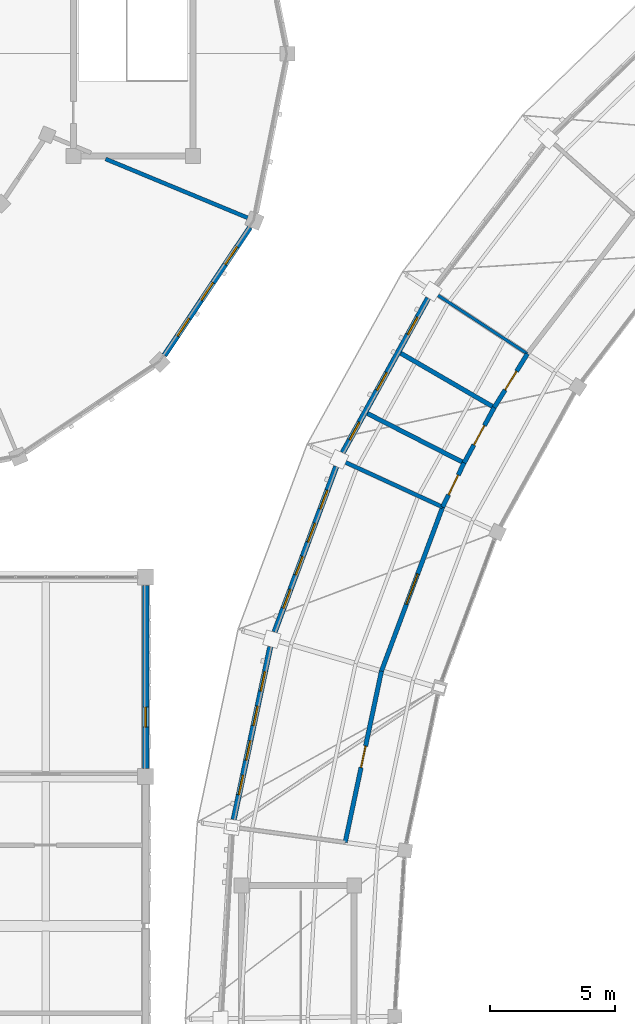
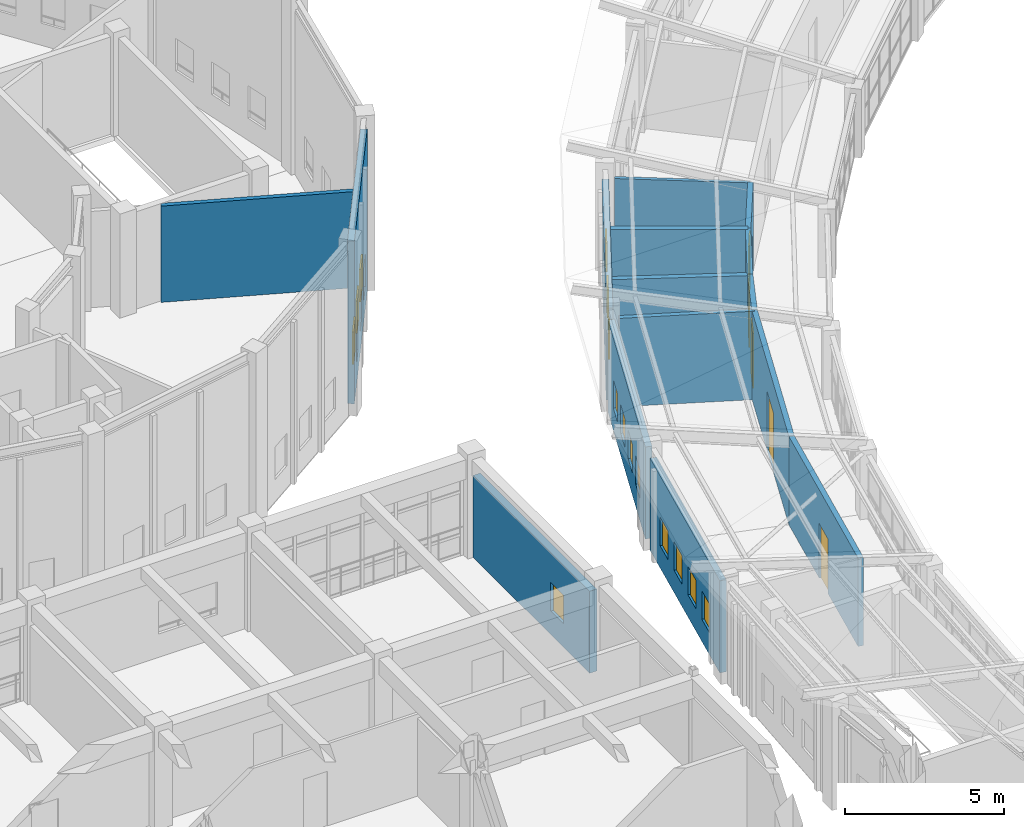
# One storey, part 127 of 149: 15 walls, 15 windows, 5 doors, 20 openings.
"""IFC4 building model written with IfcOpenShell, lengths in metres."""

import ifcopenshell
import ifcopenshell.guid

model = None  # the IFC model being written
_history = None  # IfcOwnerHistory: only IFC2X3 demands one
_inside = {}  # id of a spatial element -> (the spatial element, [elements in it])
_under = {}  # id of a project, library or spatial element -> (it, [spatial elements below it])
_declared = {}  # id of a project -> (the project, [libraries it declares])
_typed = {}  # id of a type object -> (the type object, [elements of that type])
_made_of = {}  # id of a material, layer set ... -> (it, [elements and type objects made of it])


def new_model(schema):
    """Start an empty IFC model of exactly this schema.

    Asked for "IFC4X3", IfcOpenShell would pick the latest addendum, in which some entities
    have other attributes; the version numbers below select the first issue.
    IFC2X3 requires an IfcOwnerHistory on every rooted entity: one is made here for all.
    """
    global model, _history
    if schema == "IFC4X3":
        model = ifcopenshell.file(schema_version=(4, 3, 0, 0))
    else:
        model = ifcopenshell.file(schema=schema)
    _inside.clear()
    _under.clear()
    _declared.clear()
    _typed.clear()
    _made_of.clear()
    _history = None
    if model.schema == "IFC2X3":
        org = make("IfcOrganization", Name="unknown")
        user = make(
            "IfcPersonAndOrganization",
            ThePerson=make("IfcPerson", FamilyName="unknown"),
            TheOrganization=org,
        )
        app = make(
            "IfcApplication",
            ApplicationDeveloper=org,
            Version="unknown",
            ApplicationFullName="unknown",
            ApplicationIdentifier="unknown",
        )
        _history = make(
            "IfcOwnerHistory",
            OwningUser=user,
            OwningApplication=app,
            ChangeAction="ADDED",
            CreationDate=0,
        )
    return model


def make(cls, **values):
    """One entity of the class cls with the attributes given. An attribute that is None is left unset."""
    return model.create_entity(
        cls, **{name: value for name, value in values.items() if value is not None}
    )


def rooted(cls, **values):
    """An entity with a GlobalId (a new one), such as an element, a storey or a relation."""
    return make(cls, GlobalId=ifcopenshell.guid.new(), OwnerHistory=_history, **values)


def si_unit(unit_type, name, prefix=None):
    """IfcSIUnit, for example si_unit("LENGTHUNIT", "METRE", prefix="MILLI")."""
    return make("IfcSIUnit", UnitType=unit_type, Prefix=prefix, Name=name)


def assignment(units):
    """IfcUnitAssignment: the units of a project."""
    return None if units is None else make("IfcUnitAssignment", Units=units)


def point(xyz):
    """IfcCartesianPoint."""
    return None if xyz is None else make("IfcCartesianPoint", Coordinates=xyz)


def direction(xyz):
    """IfcDirection."""
    return None if xyz is None else make("IfcDirection", DirectionRatios=xyz)


def frame(location, z_axis=None, x_axis=None):
    """IfcAxis2Placement3D, a coordinate frame: its origin and axes. An axis left out is left unset."""
    return make(
        "IfcAxis2Placement3D",
        Location=point(location),
        Axis=direction(z_axis),
        RefDirection=direction(x_axis),
    )


def frame_2d(location, x_axis=None):
    """IfcAxis2Placement2D, a coordinate frame in the plane: its origin and x axis."""
    return make(
        "IfcAxis2Placement2D", Location=point(location), RefDirection=direction(x_axis)
    )


def origin():
    """The frame at (0, 0, 0) with its axes left unset."""
    return frame((0.0, 0.0, 0.0))


def place(relative_to, where):
    """IfcLocalPlacement: puts the frame where relative to a parent placement (None: the world)."""
    return make(
        "IfcLocalPlacement", PlacementRelTo=relative_to, RelativePlacement=where
    )


def context(
    kind, dimensions, precision=None, world=None, true_north=None, identifier=None
):
    """IfcGeometricRepresentationContext, for example the 3D "Model" context."""
    return make(
        "IfcGeometricRepresentationContext",
        ContextIdentifier=identifier,
        ContextType=kind,
        CoordinateSpaceDimension=dimensions,
        Precision=precision,
        WorldCoordinateSystem=world,
        TrueNorth=true_north,
    )


def subcontext(parent, identifier, kind, view, scale=None):
    """IfcGeometricRepresentationSubContext, for example "Body" below "Model"."""
    return make(
        "IfcGeometricRepresentationSubContext",
        ContextIdentifier=identifier,
        ContextType=kind,
        ParentContext=parent,
        TargetScale=scale,
        TargetView=view,
    )


def project(units=None, contexts=None):
    """IfcProject with its units and contexts."""
    return rooted(
        "IfcProject",
        Name="project",
        RepresentationContexts=contexts,
        UnitsInContext=assignment(units),
    )


def spatial(cls, under=None, at=None, **own):
    """A site, building, storey or space (cls), placed at a placement, below another one or the project."""
    s = rooted(cls, ObjectPlacement=at, **own)
    if under is not None:
        _under.setdefault(under.id(), (under, []))[1].append(s)
    return s


def profile(cls, at=None, kind="AREA", **sizes):
    """A parametric profile (cls). Its sizes go by their IFC names, for example OverallWidth=200.0."""
    return make(cls, ProfileType=kind, Position=at, **sizes)


def rectangle(**sizes):
    """IfcRectangleProfileDef."""
    return profile("IfcRectangleProfileDef", **sizes)


def extrude(swept, where, along, depth):
    """IfcExtrudedAreaSolid: the profile swept, set in the frame where, extruded along a direction by depth."""
    return make(
        "IfcExtrudedAreaSolid",
        SweptArea=swept,
        Position=where,
        ExtrudedDirection=direction(along),
        Depth=depth,
    )


def shape(context_of_items, identifier, shape_type, items):
    """IfcShapeRepresentation: the items that make up one representation, for example the "Body"."""
    return make(
        "IfcShapeRepresentation",
        ContextOfItems=context_of_items,
        RepresentationIdentifier=identifier,
        RepresentationType=shape_type,
        Items=items,
    )


def material(Name=None, Category=None):
    """IfcMaterial."""
    return make("IfcMaterial", Name=Name, Category=Category)


def layer(
    of_material, thickness, ventilated=None, Name=None, Category=None, Priority=None
):
    """IfcMaterialLayer: one layer of a wall or slab, of a material (None: an air gap)."""
    return make(
        "IfcMaterialLayer",
        Material=of_material,
        LayerThickness=thickness,
        IsVentilated=ventilated,
        Name=Name,
        Category=Category,
        Priority=Priority,
    )


def layer_set(layers, Name=None):
    """IfcMaterialLayerSet."""
    return make("IfcMaterialLayerSet", MaterialLayers=layers, LayerSetName=Name)


def made_of(thing, what):
    """Note that an element or type object is made of a material, layer set ...; save() writes the relation."""
    if what is not None:
        _made_of.setdefault(what.id(), (what, []))[1].append(thing)
    return thing


def type_object(cls, material=None, **own):
    """A type object (cls), such as IfcWallType, which elements share."""
    return made_of(rooted(cls, **own), material)


def element(
    cls,
    number,
    at=None,
    inside=None,
    cuts=None,
    type_object=None,
    material=None,
    context=None,
    identifier="Body",
    shape_type=None,
    held_by="IfcProductDefinitionShape",
    body=None,
    shapes=None,
    **own,
):
    """One element of the class cls, such as IfcWall. Its Tag is "e" and its number.

    at: its placement. inside: the storey or other place that contains it. cuts: it is an
    opening in that element (IfcRelVoidsElement). A single representation is given by context,
    identifier, shape_type and body (its items); several are given by shapes. held_by: the class
    of the entity that holds the representations. save() writes the other relations.
    """
    e = rooted(cls, Tag="e%d" % number, ObjectPlacement=at, **own)
    if body is not None:
        shapes = [shape(context, identifier, shape_type, body)]
    if shapes is not None:
        e.Representation = make(held_by, Representations=shapes)
    if inside is not None:
        _inside.setdefault(inside.id(), (inside, []))[1].append(e)
    if cuts is not None:
        rooted(
            "IfcRelVoidsElement", RelatingBuildingElement=cuts, RelatedOpeningElement=e
        )
    if type_object is not None:
        _typed.setdefault(type_object.id(), (type_object, []))[1].append(e)
    return made_of(e, material)


def fill(opening, filler):
    """IfcRelFillsElement: the door or window that sits in an opening."""
    return rooted(
        "IfcRelFillsElement",
        RelatingOpeningElement=opening,
        RelatedBuildingElement=filler,
    )


def aggregate(whole, parts):
    """IfcRelAggregates: a whole, such as a stair, and the parts it consists of."""
    return rooted("IfcRelAggregates", RelatingObject=whole, RelatedObjects=parts)


def save(model, path):
    """Write the relations noted so far, then the file.

    IfcRelAggregates (storeys below a building ...), IfcRelContainedInSpatialStructure (elements
    in a storey), IfcRelDefinesByType, IfcRelAssociatesMaterial and IfcRelDeclares: one each for
    every whole, place, type object, material and project.
    """
    for whole, parts in _under.values():
        aggregate(whole, parts)
    for where, things in _inside.values():
        rooted(
            "IfcRelContainedInSpatialStructure",
            RelatedElements=things,
            RelatingStructure=where,
        )
    for kind, things in _typed.values():
        rooted("IfcRelDefinesByType", RelatedObjects=things, RelatingType=kind)
    for what, things in _made_of.values():
        rooted("IfcRelAssociatesMaterial", RelatedObjects=things, RelatingMaterial=what)
    for by, libraries in _declared.values():
        rooted("IfcRelDeclares", RelatingContext=by, RelatedDefinitions=libraries)
    model.write(path)


model = new_model("IFC4")

# Units and contexts
model_context = context("Model", 3, precision=1e-05, world=origin(), true_north=direction((0.0, 1.0)))
body_context = subcontext(model_context, "Body", "Model", "MODEL_VIEW")
ifc_project = project(units=[si_unit("LENGTHUNIT", "METRE"), si_unit("AREAUNIT", "SQUARE_METRE"), si_unit("VOLUMEUNIT", "CUBIC_METRE"), si_unit("PLANEANGLEUNIT", "RADIAN"), si_unit("MASSUNIT", "GRAM", prefix="KILO")], contexts=[model_context])

# Site, building, storey
site_placement = place(None, origin())
site = spatial("IfcSite", under=ifc_project, at=site_placement, CompositionType="ELEMENT")
building_placement = place(site_placement, origin())
building = spatial("IfcBuilding", under=site, at=building_placement, Name="Celadon Cloister-Ring School", CompositionType="ELEMENT")
storey_placement = place(building_placement, frame((0.0, 0.0, 12.5)))
storey = spatial("IfcBuildingStorey", under=building, at=storey_placement, Name="L03", CompositionType="ELEMENT", Elevation=12.5)

# Wall, opening, window
ifc_material_1 = material(Name="Rendered concrete blockwork", Category="masonry")
ifc_layer_1 = layer(ifc_material_1, 0.260009765625)
ifc_layer_set_1 = layer_set([ifc_layer_1], Name="Rendered concrete blockwork")
wall_type_1 = type_object("IfcWallType", Name="WT-EX2", PredefinedType="SOLIDWALL", material=ifc_layer_set_1)
wall_1_placement = place(storey_placement, frame((32.0, 75.673095703125, 0.0), z_axis=(0.0, 0.0, 1.0), x_axis=(0.0, -1.0, 0.0)))
wall_1 = element("IfcWall", 1, at=wall_1_placement, inside=storey, type_object=wall_type_1, Name="Exterior Wall 0531", PredefinedType="SOLIDWALL", context=body_context, shape_type="SweptSolid", body=[
    extrude(rectangle(XDim=7.34619140625, YDim=0.260009765625, at=frame_2d((3.673095703125, 0.0))), origin(), (0.0, 0.0, 1.0), 3.152099609375),
])
opening_1_placement = place(wall_1_placement, frame((4.888916015625, 0.0, 0.89990234375)))
opening_1 = element("IfcOpeningElement", 2, at=opening_1_placement, cuts=wall_1, Name="Opening WN-01", PredefinedType="OPENING", context=body_context, shape_type="SweptSolid", body=[
    extrude(rectangle(XDim=0.800048828125, YDim=1.10009765625, at=frame_2d((0.39990234375, 0.550048828125))), frame((0.0, 0.14013671875, 0.0), z_axis=(0.0, -1.0, 0.0), x_axis=(1.0, 0.0, 0.0)), (0.0, 0.0, 1.0), 0.280029296875),
])
ifc_material_2 = material(Name="Tempered laminated insulating glass", Category="glass")
window_type_1 = type_object("IfcWindowType", Name="WN-01", PartitioningType="SINGLE_PANEL", PredefinedType="WINDOW", material=ifc_material_2)
window_1_placement = place(opening_1_placement, origin())
window_1 = element("IfcWindow", 3, at=window_1_placement, inside=storey, type_object=window_type_1, Name="Window 1008", OverallHeight=1.10009765625, OverallWidth=0.800048828125, PartitioningType="SINGLE_PANEL", PredefinedType="WINDOW", context=body_context, shape_type="SweptSolid", body=[
    extrude(rectangle(XDim=0.800048828125, YDim=1.10009765625, at=frame_2d((0.39990234375, 0.550048828125))), frame((0.0, 0.030029296875, 0.0), z_axis=(0.0, -1.0, 0.0), x_axis=(1.0, 0.0, 0.0)), (0.0, 0.0, 1.0), 0.06005859375),
])
fill(opening_1, window_1)

# Wall, openings, windows
ifc_material_3 = material(Name="Perforated terracotta clay brick masonry", Category="masonry")
ifc_layer_2 = layer(ifc_material_3, 0.219970703125)
ifc_layer_set_2 = layer_set([ifc_layer_2], Name="Perforated terracotta clay brick masonry")
wall_type_2 = type_object("IfcWallType", Name="WT-EX4", PredefinedType="SOLIDWALL", material=ifc_layer_set_2)
wall_2_placement = place(storey_placement, frame((39.906982421875, 80.998046875, 0.0), z_axis=(0.0, 0.0, 1.0), x_axis=(0.483832760768, 0.875160476489, 0.0)))
wall_2 = element("IfcWall", 4, at=wall_2_placement, inside=storey, type_object=wall_type_2, Name="Exterior Wall 0177", PredefinedType="SOLIDWALL", context=body_context, shape_type="SweptSolid", body=[
    extrude(rectangle(XDim=7.0810546875, YDim=0.219970703125, at=frame_2d((3.54052734375, 0.0))), origin(), (0.0, 0.0, 1.0), 3.537109375),
])
opening_2_placement = place(wall_2_placement, frame((0.591064453125, 0.0, 1.14990234375)))
opening_2 = element("IfcOpeningElement", 5, at=opening_2_placement, cuts=wall_2, Name="Opening WN-01", PredefinedType="OPENING", context=body_context, shape_type="SweptSolid", body=[
    extrude(rectangle(XDim=0.800048828125, YDim=1.10009765625, at=frame_2d((0.39990234375, 0.550048828125))), frame((0.0, 0.1201171875, 0.0), z_axis=(0.0, -1.0, 0.0), x_axis=(1.0, 0.0, 0.0)), (0.0, 0.0, 1.0), 0.239990234375),
])
opening_3_placement = place(wall_2_placement, frame((2.85693359375, 0.0, 1.14990234375)))
opening_3 = element("IfcOpeningElement", 6, at=opening_3_placement, cuts=wall_2, Name="Opening WN-01", PredefinedType="OPENING", context=body_context, shape_type="SweptSolid", body=[
    extrude(rectangle(XDim=0.800048828125, YDim=1.10009765625, at=frame_2d((0.39990234375, 0.550048828125))), frame((0.0, 0.1201171875, 0.0), z_axis=(0.0, -1.0, 0.0), x_axis=(1.0, 0.0, 0.0)), (0.0, 0.0, 1.0), 0.239990234375),
])
opening_4_placement = place(wall_2_placement, frame((5.406005859375, 0.0, 1.14990234375)))
opening_4 = element("IfcOpeningElement", 7, at=opening_4_placement, cuts=wall_2, Name="Opening WN-01", PredefinedType="OPENING", context=body_context, shape_type="SweptSolid", body=[
    extrude(rectangle(XDim=0.800048828125, YDim=1.10009765625, at=frame_2d((0.39990234375, 0.550048828125))), frame((0.0, 0.1201171875, 0.0), z_axis=(0.0, -1.0, 0.0), x_axis=(1.0, 0.0, 0.0)), (0.0, 0.0, 1.0), 0.239990234375),
])
window_2_placement = place(opening_2_placement, origin())
window_2 = element("IfcWindow", 8, at=window_2_placement, inside=storey, type_object=window_type_1, Name="Window 0455", OverallHeight=1.10009765625, OverallWidth=0.800048828125, PartitioningType="SINGLE_PANEL", PredefinedType="WINDOW", context=body_context, shape_type="SweptSolid", body=[
    extrude(rectangle(XDim=0.800048828125, YDim=1.10009765625, at=frame_2d((0.39990234375, 0.550048828125))), frame((0.0, 0.030029296875, 0.0), z_axis=(0.0, -1.0, 0.0), x_axis=(1.0, 0.0, 0.0)), (0.0, 0.0, 1.0), 0.06005859375),
])
fill(opening_2, window_2)
window_3_placement = place(opening_3_placement, origin())
window_3 = element("IfcWindow", 9, at=window_3_placement, inside=storey, type_object=window_type_1, Name="Window 0456", OverallHeight=1.10009765625, OverallWidth=0.800048828125, PartitioningType="SINGLE_PANEL", PredefinedType="WINDOW", context=body_context, shape_type="SweptSolid", body=[
    extrude(rectangle(XDim=0.800048828125, YDim=1.10009765625, at=frame_2d((0.39990234375, 0.550048828125))), frame((0.0, 0.030029296875, 0.0), z_axis=(0.0, -1.0, 0.0), x_axis=(1.0, 0.0, 0.0)), (0.0, 0.0, 1.0), 0.06005859375),
])
fill(opening_3, window_3)
window_4_placement = place(opening_4_placement, origin())
window_4 = element("IfcWindow", 10, at=window_4_placement, inside=storey, type_object=window_type_1, Name="Window 0457", OverallHeight=1.10009765625, OverallWidth=0.800048828125, PartitioningType="SINGLE_PANEL", PredefinedType="WINDOW", context=body_context, shape_type="SweptSolid", body=[
    extrude(rectangle(XDim=0.800048828125, YDim=1.10009765625, at=frame_2d((0.39990234375, 0.550048828125))), frame((0.0, 0.030029296875, 0.0), z_axis=(0.0, -1.0, 0.0), x_axis=(1.0, 0.0, 0.0)), (0.0, 0.0, 1.0), 0.06005859375),
])
fill(opening_4, window_4)

wall_3_placement = place(storey_placement, frame((37.174072265625, 73.799072265625, 0.0), z_axis=(0.0, 0.0, 1.0), x_axis=(0.349192123714, 0.937051151611, 0.0)))
wall_3 = element("IfcWall", 11, at=wall_3_placement, inside=storey, type_object=wall_type_2, Name="Exterior Wall 0178", PredefinedType="SOLIDWALL", context=body_context, shape_type="SweptSolid", body=[
    extrude(rectangle(XDim=7.081787109375, YDim=0.219970703125, at=frame_2d((3.541015625, 0.0))), origin(), (0.0, 0.0, 1.0), 3.537109375),
])
opening_5_placement = place(wall_3_placement, frame((1.01611328125, 0.0, 0.85009765625)))
opening_5 = element("IfcOpeningElement", 12, at=opening_5_placement, cuts=wall_3, Name="Opening WN-01", PredefinedType="OPENING", context=body_context, shape_type="SweptSolid", body=[
    extrude(rectangle(XDim=0.800048828125, YDim=1.10009765625, at=frame_2d((0.39990234375, 0.550048828125))), frame((0.0, 0.1201171875, 0.0), z_axis=(0.0, -1.0, 0.0), x_axis=(1.0, 0.0, 0.0)), (0.0, 0.0, 1.0), 0.239990234375),
])
opening_6_placement = place(wall_3_placement, frame((2.43310546875, 0.0, 0.85009765625)))
opening_6 = element("IfcOpeningElement", 13, at=opening_6_placement, cuts=wall_3, Name="Opening WN-01", PredefinedType="OPENING", context=body_context, shape_type="SweptSolid", body=[
    extrude(rectangle(XDim=0.800048828125, YDim=1.10009765625, at=frame_2d((0.39990234375, 0.550048828125))), frame((0.0, 0.1201171875, 0.0), z_axis=(0.0, -1.0, 0.0), x_axis=(1.0, 0.0, 0.0)), (0.0, 0.0, 1.0), 0.239990234375),
])
opening_7_placement = place(wall_3_placement, frame((3.84912109375, 0.0, 0.85009765625)))
opening_7 = element("IfcOpeningElement", 14, at=opening_7_placement, cuts=wall_3, Name="Opening WN-01", PredefinedType="OPENING", context=body_context, shape_type="SweptSolid", body=[
    extrude(rectangle(XDim=0.800048828125, YDim=1.10009765625, at=frame_2d((0.39990234375, 0.550048828125))), frame((0.0, 0.1201171875, 0.0), z_axis=(0.0, -1.0, 0.0), x_axis=(1.0, 0.0, 0.0)), (0.0, 0.0, 1.0), 0.239990234375),
])
opening_8_placement = place(wall_3_placement, frame((5.264892578125, 0.0, 0.85009765625)))
opening_8 = element("IfcOpeningElement", 15, at=opening_8_placement, cuts=wall_3, Name="Opening WN-01", PredefinedType="OPENING", context=body_context, shape_type="SweptSolid", body=[
    extrude(rectangle(XDim=0.800048828125, YDim=1.10009765625, at=frame_2d((0.39990234375, 0.550048828125))), frame((0.0, 0.1201171875, 0.0), z_axis=(0.0, -1.0, 0.0), x_axis=(1.0, 0.0, 0.0)), (0.0, 0.0, 1.0), 0.239990234375),
])
window_5_placement = place(opening_5_placement, origin())
window_5 = element("IfcWindow", 16, at=window_5_placement, inside=storey, type_object=window_type_1, Name="Window 0458", OverallHeight=1.10009765625, OverallWidth=0.800048828125, PartitioningType="SINGLE_PANEL", PredefinedType="WINDOW", context=body_context, shape_type="SweptSolid", body=[
    extrude(rectangle(XDim=0.800048828125, YDim=1.10009765625, at=frame_2d((0.39990234375, 0.550048828125))), frame((0.0, 0.030029296875, 0.0), z_axis=(0.0, -1.0, 0.0), x_axis=(1.0, 0.0, 0.0)), (0.0, 0.0, 1.0), 0.06005859375),
])
fill(opening_5, window_5)
window_6_placement = place(opening_6_placement, origin())
window_6 = element("IfcWindow", 17, at=window_6_placement, inside=storey, type_object=window_type_1, Name="Window 0459", OverallHeight=1.10009765625, OverallWidth=0.800048828125, PartitioningType="SINGLE_PANEL", PredefinedType="WINDOW", context=body_context, shape_type="SweptSolid", body=[
    extrude(rectangle(XDim=0.800048828125, YDim=1.10009765625, at=frame_2d((0.39990234375, 0.550048828125))), frame((0.0, 0.030029296875, 0.0), z_axis=(0.0, -1.0, 0.0), x_axis=(1.0, 0.0, 0.0)), (0.0, 0.0, 1.0), 0.06005859375),
])
fill(opening_6, window_6)
window_7_placement = place(opening_7_placement, origin())
window_7 = element("IfcWindow", 18, at=window_7_placement, inside=storey, type_object=window_type_1, Name="Window 0460", OverallHeight=1.10009765625, OverallWidth=0.800048828125, PartitioningType="SINGLE_PANEL", PredefinedType="WINDOW", context=body_context, shape_type="SweptSolid", body=[
    extrude(rectangle(XDim=0.800048828125, YDim=1.10009765625, at=frame_2d((0.39990234375, 0.550048828125))), frame((0.0, 0.030029296875, 0.0), z_axis=(0.0, -1.0, 0.0), x_axis=(1.0, 0.0, 0.0)), (0.0, 0.0, 1.0), 0.06005859375),
])
fill(opening_7, window_7)
window_8_placement = place(opening_8_placement, origin())
window_8 = element("IfcWindow", 19, at=window_8_placement, inside=storey, type_object=window_type_1, Name="Window 0461", OverallHeight=1.10009765625, OverallWidth=0.800048828125, PartitioningType="SINGLE_PANEL", PredefinedType="WINDOW", context=body_context, shape_type="SweptSolid", body=[
    extrude(rectangle(XDim=0.800048828125, YDim=1.10009765625, at=frame_2d((0.39990234375, 0.550048828125))), frame((0.0, 0.030029296875, 0.0), z_axis=(0.0, -1.0, 0.0), x_axis=(1.0, 0.0, 0.0)), (0.0, 0.0, 1.0), 0.06005859375),
])
fill(opening_8, window_8)

wall_4_placement = place(storey_placement, frame((35.532958984375, 66.27490234375, 0.0), z_axis=(0.0, 0.0, 1.0), x_axis=(0.207259317734, 0.978286039567, 0.0)))
wall_4 = element("IfcWall", 20, at=wall_4_placement, inside=storey, type_object=wall_type_2, Name="Exterior Wall 0179", PredefinedType="SOLIDWALL", context=body_context, shape_type="SweptSolid", body=[
    extrude(rectangle(XDim=7.0830078125, YDim=0.219970703125, at=frame_2d((3.54150390625, 0.0))), origin(), (0.0, 0.0, 1.0), 3.537109375),
])
opening_9_placement = place(wall_4_placement, frame((1.01708984375, 0.0, 0.85009765625)))
opening_9 = element("IfcOpeningElement", 21, at=opening_9_placement, cuts=wall_4, Name="Opening WN-01", PredefinedType="OPENING", context=body_context, shape_type="SweptSolid", body=[
    extrude(rectangle(XDim=0.800048828125, YDim=1.10009765625, at=frame_2d((0.39990234375, 0.550048828125))), frame((0.0, 0.1201171875, 0.0), z_axis=(0.0, -1.0, 0.0), x_axis=(1.0, 0.0, 0.0)), (0.0, 0.0, 1.0), 0.239990234375),
])
opening_10_placement = place(wall_4_placement, frame((2.43310546875, 0.0, 0.85009765625)))
opening_10 = element("IfcOpeningElement", 22, at=opening_10_placement, cuts=wall_4, Name="Opening WN-01", PredefinedType="OPENING", context=body_context, shape_type="SweptSolid", body=[
    extrude(rectangle(XDim=0.800048828125, YDim=1.10009765625, at=frame_2d((0.39990234375, 0.550048828125))), frame((0.0, 0.1201171875, 0.0), z_axis=(0.0, -1.0, 0.0), x_axis=(1.0, 0.0, 0.0)), (0.0, 0.0, 1.0), 0.239990234375),
])
opening_11_placement = place(wall_4_placement, frame((3.85009765625, 0.0, 0.85009765625)))
opening_11 = element("IfcOpeningElement", 23, at=opening_11_placement, cuts=wall_4, Name="Opening WN-01", PredefinedType="OPENING", context=body_context, shape_type="SweptSolid", body=[
    extrude(rectangle(XDim=0.800048828125, YDim=1.10009765625, at=frame_2d((0.39990234375, 0.550048828125))), frame((0.0, 0.1201171875, 0.0), z_axis=(0.0, -1.0, 0.0), x_axis=(1.0, 0.0, 0.0)), (0.0, 0.0, 1.0), 0.239990234375),
])
opening_12_placement = place(wall_4_placement, frame((5.26611328125, 0.0, 0.85009765625)))
opening_12 = element("IfcOpeningElement", 24, at=opening_12_placement, cuts=wall_4, Name="Opening WN-01", PredefinedType="OPENING", context=body_context, shape_type="SweptSolid", body=[
    extrude(rectangle(XDim=0.800048828125, YDim=1.10009765625, at=frame_2d((0.39990234375, 0.550048828125))), frame((0.0, 0.1201171875, 0.0), z_axis=(0.0, -1.0, 0.0), x_axis=(1.0, 0.0, 0.0)), (0.0, 0.0, 1.0), 0.239990234375),
])
window_9_placement = place(opening_9_placement, origin())
window_9 = element("IfcWindow", 25, at=window_9_placement, inside=storey, type_object=window_type_1, Name="Window 0462", OverallHeight=1.10009765625, OverallWidth=0.800048828125, PartitioningType="SINGLE_PANEL", PredefinedType="WINDOW", context=body_context, shape_type="SweptSolid", body=[
    extrude(rectangle(XDim=0.800048828125, YDim=1.10009765625, at=frame_2d((0.39990234375, 0.550048828125))), frame((0.0, 0.030029296875, 0.0), z_axis=(0.0, -1.0, 0.0), x_axis=(1.0, 0.0, 0.0)), (0.0, 0.0, 1.0), 0.06005859375),
])
fill(opening_9, window_9)
window_10_placement = place(opening_10_placement, origin())
window_10 = element("IfcWindow", 26, at=window_10_placement, inside=storey, type_object=window_type_1, Name="Window 0463", OverallHeight=1.10009765625, OverallWidth=0.800048828125, PartitioningType="SINGLE_PANEL", PredefinedType="WINDOW", context=body_context, shape_type="SweptSolid", body=[
    extrude(rectangle(XDim=0.800048828125, YDim=1.10009765625, at=frame_2d((0.39990234375, 0.550048828125))), frame((0.0, 0.030029296875, 0.0), z_axis=(0.0, -1.0, 0.0), x_axis=(1.0, 0.0, 0.0)), (0.0, 0.0, 1.0), 0.06005859375),
])
fill(opening_10, window_10)
window_11_placement = place(opening_11_placement, origin())
window_11 = element("IfcWindow", 27, at=window_11_placement, inside=storey, type_object=window_type_1, Name="Window 0464", OverallHeight=1.10009765625, OverallWidth=0.800048828125, PartitioningType="SINGLE_PANEL", PredefinedType="WINDOW", context=body_context, shape_type="SweptSolid", body=[
    extrude(rectangle(XDim=0.800048828125, YDim=1.10009765625, at=frame_2d((0.39990234375, 0.550048828125))), frame((0.0, 0.030029296875, 0.0), z_axis=(0.0, -1.0, 0.0), x_axis=(1.0, 0.0, 0.0)), (0.0, 0.0, 1.0), 0.06005859375),
])
fill(opening_11, window_11)
window_12_placement = place(opening_12_placement, origin())
window_12 = element("IfcWindow", 28, at=window_12_placement, inside=storey, type_object=window_type_1, Name="Window 0465", OverallHeight=1.10009765625, OverallWidth=0.800048828125, PartitioningType="SINGLE_PANEL", PredefinedType="WINDOW", context=body_context, shape_type="SweptSolid", body=[
    extrude(rectangle(XDim=0.800048828125, YDim=1.10009765625, at=frame_2d((0.39990234375, 0.550048828125))), frame((0.0, 0.030029296875, 0.0), z_axis=(0.0, -1.0, 0.0), x_axis=(1.0, 0.0, 0.0)), (0.0, 0.0, 1.0), 0.06005859375),
])
fill(opening_12, window_12)

wall_5_placement = place(storey_placement, frame((36.18505859375, 90.029052734375, 0.0), z_axis=(0.0, 0.0, 1.0), x_axis=(-0.555658736667, -0.831410469242, 0.0)))
wall_5 = element("IfcWall", 29, at=wall_5_placement, inside=storey, type_object=wall_type_2, Name="Exterior Wall 0288", PredefinedType="SOLIDWALL", context=body_context, shape_type="SweptSolid", body=[
    extrude(rectangle(XDim=6.169189453125, YDim=0.219970703125, at=frame_2d((3.08447265625, 0.0))), origin(), (0.0, 0.0, 1.0), 6.25),
])
opening_13_placement = place(wall_5_placement, frame((0.931884765625, 0.0, 0.85009765625)))
opening_13 = element("IfcOpeningElement", 30, at=opening_13_placement, cuts=wall_5, Name="Opening WN-11", PredefinedType="OPENING", context=body_context, shape_type="SweptSolid", body=[
    extrude(rectangle(XDim=0.85009765625, YDim=1.25, at=frame_2d((0.425048828125, 0.625))), frame((0.0, 0.1201171875, 0.0), z_axis=(0.0, -1.0, 0.0), x_axis=(1.0, 0.0, 0.0)), (0.0, 0.0, 1.0), 0.239990234375),
])
opening_14_placement = place(wall_5_placement, frame((2.659912109375, 0.0, 0.85009765625)))
opening_14 = element("IfcOpeningElement", 31, at=opening_14_placement, cuts=wall_5, Name="Opening WN-11", PredefinedType="OPENING", context=body_context, shape_type="SweptSolid", body=[
    extrude(rectangle(XDim=0.85009765625, YDim=1.25, at=frame_2d((0.425048828125, 0.625))), frame((0.0, 0.1201171875, 0.0), z_axis=(0.0, -1.0, 0.0), x_axis=(1.0, 0.0, 0.0)), (0.0, 0.0, 1.0), 0.239990234375),
])
opening_15_placement = place(wall_5_placement, frame((4.386962890625, 0.0, 0.85009765625)))
opening_15 = element("IfcOpeningElement", 32, at=opening_15_placement, cuts=wall_5, Name="Opening WN-11", PredefinedType="OPENING", context=body_context, shape_type="SweptSolid", body=[
    extrude(rectangle(XDim=0.85009765625, YDim=1.25, at=frame_2d((0.425048828125, 0.625))), frame((0.0, 0.1201171875, 0.0), z_axis=(0.0, -1.0, 0.0), x_axis=(1.0, 0.0, 0.0)), (0.0, 0.0, 1.0), 0.239990234375),
])
ifc_material_4 = material(Name="Tempered laminated insulating glass", Category="glass")
window_type_2 = type_object("IfcWindowType", Name="WN-11", PartitioningType="SINGLE_PANEL", PredefinedType="WINDOW", material=ifc_material_4)
window_13_placement = place(opening_13_placement, origin())
window_13 = element("IfcWindow", 33, at=window_13_placement, inside=storey, type_object=window_type_2, Name="Window 0756", OverallHeight=1.25, OverallWidth=0.85009765625, PartitioningType="SINGLE_PANEL", PredefinedType="WINDOW", context=body_context, shape_type="SweptSolid", body=[
    extrude(rectangle(XDim=0.85009765625, YDim=1.25, at=frame_2d((0.425048828125, 0.625))), frame((0.0, 0.030029296875, 0.0), z_axis=(0.0, -1.0, 0.0), x_axis=(1.0, 0.0, 0.0)), (0.0, 0.0, 1.0), 0.06005859375),
])
fill(opening_13, window_13)
window_14_placement = place(opening_14_placement, origin())
window_14 = element("IfcWindow", 34, at=window_14_placement, inside=storey, type_object=window_type_2, Name="Window 0757", OverallHeight=1.25, OverallWidth=0.85009765625, PartitioningType="SINGLE_PANEL", PredefinedType="WINDOW", context=body_context, shape_type="SweptSolid", body=[
    extrude(rectangle(XDim=0.85009765625, YDim=1.25, at=frame_2d((0.425048828125, 0.625))), frame((0.0, 0.030029296875, 0.0), z_axis=(0.0, -1.0, 0.0), x_axis=(1.0, 0.0, 0.0)), (0.0, 0.0, 1.0), 0.06005859375),
])
fill(opening_14, window_14)
window_15_placement = place(opening_15_placement, origin())
window_15 = element("IfcWindow", 35, at=window_15_placement, inside=storey, type_object=window_type_2, Name="Window 0758", OverallHeight=1.25, OverallWidth=0.85009765625, PartitioningType="SINGLE_PANEL", PredefinedType="WINDOW", context=body_context, shape_type="SweptSolid", body=[
    extrude(rectangle(XDim=0.85009765625, YDim=1.25, at=frame_2d((0.425048828125, 0.625))), frame((0.0, 0.030029296875, 0.0), z_axis=(0.0, -1.0, 0.0), x_axis=(1.0, 0.0, 0.0)), (0.0, 0.0, 1.0), 0.06005859375),
])
fill(opening_15, window_15)

# Walls
ifc_material_5 = material(Name="Plastered hollow concrete masonry", Category="masonry")
ifc_layer_3 = layer(ifc_material_5, 0.179931640625)
ifc_layer_set_3 = layer_set([ifc_layer_3], Name="Plastered hollow concrete masonry")
wall_type_3 = type_object("IfcWallType", Name="WT-PT2", PredefinedType="PARTITIONING", material=ifc_layer_set_3)
wall_6_placement = place(storey_placement, frame((45.988037109375, 82.805908203125, 0.0), z_axis=(0.0, 0.0, 1.0), x_axis=(-0.864871773355, 0.501992844225, 0.0)))
element("IfcWall", 36, at=wall_6_placement, inside=storey, type_object=wall_type_3, Name="Interior Wall 0607", PredefinedType="PARTITIONING", context=body_context, shape_type="SweptSolid", body=[
    extrude(rectangle(XDim=4.334716796875, YDim=0.179931640625, at=frame_2d((2.16748046875, 0.0))), origin(), (0.0, 0.0, 1.0), 3.39794921875),
])
wall_7_placement = place(storey_placement, frame((44.777099609375, 80.5830078125, 0.0), z_axis=(0.0, 0.0, 1.0), x_axis=(-0.890397294755, 0.455184201717, 0.0)))
element("IfcWall", 37, at=wall_7_placement, inside=storey, type_object=wall_type_3, Name="Interior Wall 0608", PredefinedType="PARTITIONING", context=body_context, shape_type="SweptSolid", body=[
    extrude(rectangle(XDim=4.35205078125, YDim=0.179931640625, at=frame_2d((2.176025390625, 0.0))), origin(), (0.0, 0.0, 1.0), 3.39697265625),
])

# Wall, opening, door
wall_8_placement = place(storey_placement, frame((47.31689453125, 84.9599609375, 0.0), z_axis=(0.0, 0.0, 1.0), x_axis=(-0.52503894851, -0.851078200019, 0.0)))
wall_8 = element("IfcWall", 38, at=wall_8_placement, inside=storey, type_object=wall_type_3, Name="Interior Wall 0612", PredefinedType="PARTITIONING", context=body_context, shape_type="SweptSolid", body=[
    extrude(rectangle(XDim=2.531005859375, YDim=0.179931640625, at=frame_2d((1.265625, 0.0))), origin(), (0.0, 0.0, 1.0), 3.39697265625),
])
opening_16_placement = place(wall_8_placement, frame((0.824951171875, 0.0, 0.0)))
opening_16 = element("IfcOpeningElement", 39, at=opening_16_placement, cuts=wall_8, Name="Opening D-0209", PredefinedType="OPENING", context=body_context, shape_type="SweptSolid", body=[
    extrude(rectangle(XDim=0.8798828125, YDim=2.10009765625, at=frame_2d((0.43994140625, 1.050048828125))), frame((0.0, 0.10009765625, 0.0), z_axis=(0.0, -1.0, 0.0), x_axis=(1.0, 0.0, 0.0)), (0.0, 0.0, 1.0), 0.199951171875),
])
ifc_material_6 = material(Name="Solid-core fire-rated hardwood leaf", Category="wood")
door_type_1 = type_object("IfcDoorType", Name="DT-01", OperationType="NOTDEFINED", PredefinedType="DOOR", material=ifc_material_6)
door_1_placement = place(opening_16_placement, origin())
door_1 = element("IfcDoor", 40, at=door_1_placement, inside=storey, type_object=door_type_1, Name="Door D-0209", OperationType="SINGLE_SWING_LEFT", OverallHeight=2.10009765625, OverallWidth=0.8798828125, PredefinedType="DOOR", context=body_context, shape_type="SweptSolid", body=[
    extrude(rectangle(XDim=0.8798828125, YDim=2.10009765625, at=frame_2d((0.43994140625, 1.050048828125))), frame((0.0, 0.02490234375, 0.0), z_axis=(0.0, -1.0, 0.0), x_axis=(1.0, 0.0, 0.0)), (0.0, 0.0, 1.0), 0.050048828125),
])
fill(opening_16, door_1)

wall_9_placement = place(storey_placement, frame((45.988037109375, 82.805908203125, 0.0), z_axis=(0.0, 0.0, 1.0), x_axis=(-0.478379038954, -0.878153457597, 0.0)))
wall_9 = element("IfcWall", 41, at=wall_9_placement, inside=storey, type_object=wall_type_3, Name="Interior Wall 0613", PredefinedType="PARTITIONING", context=body_context, shape_type="SweptSolid", body=[
    extrude(rectangle(XDim=2.53125, YDim=0.179931640625, at=frame_2d((1.265625, 0.0))), origin(), (0.0, 0.0, 1.0), 3.39697265625),
])
opening_17_placement = place(wall_9_placement, frame((0.825927734375, 0.0, 0.0)))
opening_17 = element("IfcOpeningElement", 42, at=opening_17_placement, cuts=wall_9, Name="Opening D-0210", PredefinedType="OPENING", context=body_context, shape_type="SweptSolid", body=[
    extrude(rectangle(XDim=0.8798828125, YDim=2.10009765625, at=frame_2d((0.43994140625, 1.050048828125))), frame((0.0, 0.10009765625, 0.0), z_axis=(0.0, -1.0, 0.0), x_axis=(1.0, 0.0, 0.0)), (0.0, 0.0, 1.0), 0.199951171875),
])
door_2_placement = place(opening_17_placement, origin())
door_2 = element("IfcDoor", 43, at=door_2_placement, inside=storey, type_object=door_type_1, Name="Door D-0210", OperationType="SINGLE_SWING_RIGHT", OverallHeight=2.10009765625, OverallWidth=0.8798828125, PredefinedType="DOOR", context=body_context, shape_type="SweptSolid", body=[
    extrude(rectangle(XDim=0.8798828125, YDim=2.10009765625, at=frame_2d((0.43994140625, 1.050048828125))), frame((0.0, 0.02490234375, 0.0), z_axis=(0.0, -1.0, 0.0), x_axis=(1.0, 0.0, 0.0)), (0.0, 0.0, 1.0), 0.050048828125),
])
fill(opening_17, door_2)

wall_10_placement = place(storey_placement, frame((44.777099609375, 80.5830078125, 0.0), z_axis=(0.0, 0.0, 1.0), x_axis=(-0.436866695587, -0.899526258809, 0.0)))
wall_10 = element("IfcWall", 44, at=wall_10_placement, inside=storey, type_object=wall_type_3, Name="Interior Wall 0614", PredefinedType="PARTITIONING", context=body_context, shape_type="SweptSolid", body=[
    extrude(rectangle(XDim=1.96875, YDim=0.179931640625, at=frame_2d((0.984375, 0.0))), origin(), (0.0, 0.0, 1.0), 3.39697265625),
])
opening_18_placement = place(wall_10_placement, frame((0.5439453125, 0.0, 0.0)))
opening_18 = element("IfcOpeningElement", 45, at=opening_18_placement, cuts=wall_10, Name="Opening D-0211", PredefinedType="OPENING", context=body_context, shape_type="SweptSolid", body=[
    extrude(rectangle(XDim=0.8798828125, YDim=2.10009765625, at=frame_2d((0.43994140625, 1.050048828125))), frame((0.0, 0.10009765625, 0.0), z_axis=(0.0, -1.0, 0.0), x_axis=(1.0, 0.0, 0.0)), (0.0, 0.0, 1.0), 0.199951171875),
])
door_3_placement = place(opening_18_placement, origin())
door_3 = element("IfcDoor", 46, at=door_3_placement, inside=storey, type_object=door_type_1, Name="Door D-0211", OperationType="SINGLE_SWING_LEFT", OverallHeight=2.10009765625, OverallWidth=0.8798828125, PredefinedType="DOOR", context=body_context, shape_type="SweptSolid", body=[
    extrude(rectangle(XDim=0.8798828125, YDim=2.10009765625, at=frame_2d((0.43994140625, 1.050048828125))), frame((0.0, 0.02490234375, 0.0), z_axis=(0.0, -1.0, 0.0), x_axis=(1.0, 0.0, 0.0)), (0.0, 0.0, 1.0), 0.050048828125),
])
fill(opening_18, door_3)

wall_11_placement = place(storey_placement, frame((43.9169921875, 78.81201171875, 0.0), z_axis=(0.0, 0.0, 1.0), x_axis=(-0.349355556836, -0.936990232024, 0.0)))
wall_11 = element("IfcWall", 47, at=wall_11_placement, inside=storey, type_object=wall_type_3, Name="Interior Wall 0615", PredefinedType="PARTITIONING", context=body_context, shape_type="SweptSolid", body=[
    extrude(rectangle(XDim=7.024658203125, YDim=0.179931640625, at=frame_2d((3.51220703125, 0.0))), origin(), (0.0, 0.0, 1.0), 3.39697265625),
])
opening_19_placement = place(wall_11_placement, frame((2.862060546875, 0.0, 0.0)))
opening_19 = element("IfcOpeningElement", 48, at=opening_19_placement, cuts=wall_11, Name="Opening D-0212", PredefinedType="OPENING", context=body_context, shape_type="SweptSolid", body=[
    extrude(rectangle(XDim=1.300048828125, YDim=2.280029296875, at=frame_2d((0.64990234375, 1.14013671875))), frame((0.0, 0.10009765625, 0.0), z_axis=(0.0, -1.0, 0.0), x_axis=(1.0, 0.0, 0.0)), (0.0, 0.0, 1.0), 0.199951171875),
])
ifc_material_7 = material(Name="Galvanised fire-rated hollow steel leaf", Category="steel")
door_type_2 = type_object("IfcDoorType", Name="DT-16", OperationType="NOTDEFINED", PredefinedType="DOOR", material=ifc_material_7)
door_4_placement = place(opening_19_placement, origin())
door_4 = element("IfcDoor", 49, at=door_4_placement, inside=storey, type_object=door_type_2, Name="Door D-0212", OperationType="SINGLE_SWING_RIGHT", OverallHeight=2.280029296875, OverallWidth=1.300048828125, PredefinedType="DOOR", context=body_context, shape_type="SweptSolid", body=[
    extrude(rectangle(XDim=1.300048828125, YDim=2.280029296875, at=frame_2d((0.64990234375, 1.14013671875))), frame((0.0, 0.02490234375, 0.0), z_axis=(0.0, -1.0, 0.0), x_axis=(1.0, 0.0, 0.0)), (0.0, 0.0, 1.0), 0.050048828125),
])
fill(opening_19, door_4)

wall_12_placement = place(storey_placement, frame((41.462890625, 72.22998046875, 0.0), z_axis=(0.0, 0.0, 1.0), x_axis=(-0.207083965241, -0.978323173261, 0.0)))
wall_12 = element("IfcWall", 50, at=wall_12_placement, inside=storey, type_object=wall_type_3, Name="Interior Wall 0616", PredefinedType="PARTITIONING", context=body_context, shape_type="SweptSolid", body=[
    extrude(rectangle(XDim=7.025390625, YDim=0.179931640625, at=frame_2d((3.5126953125, 0.0))), origin(), (0.0, 0.0, 1.0), 3.39697265625),
])
opening_20_placement = place(wall_12_placement, frame((3.072998046875, 0.0, 0.0)))
opening_20 = element("IfcOpeningElement", 51, at=opening_20_placement, cuts=wall_12, Name="Opening D-0213", PredefinedType="OPENING", context=body_context, shape_type="SweptSolid", body=[
    extrude(rectangle(XDim=0.8798828125, YDim=2.10009765625, at=frame_2d((0.43994140625, 1.050048828125))), frame((0.0, 0.10009765625, 0.0), z_axis=(0.0, -1.0, 0.0), x_axis=(1.0, 0.0, 0.0)), (0.0, 0.0, 1.0), 0.199951171875),
])
door_5_placement = place(opening_20_placement, origin())
door_5 = element("IfcDoor", 52, at=door_5_placement, inside=storey, type_object=door_type_1, Name="Door D-0213", OperationType="SINGLE_SWING_LEFT", OverallHeight=2.10009765625, OverallWidth=0.8798828125, PredefinedType="DOOR", context=body_context, shape_type="SweptSolid", body=[
    extrude(rectangle(XDim=0.8798828125, YDim=2.10009765625, at=frame_2d((0.43994140625, 1.050048828125))), frame((0.0, 0.02490234375, 0.0), z_axis=(0.0, -1.0, 0.0), x_axis=(1.0, 0.0, 0.0)), (0.0, 0.0, 1.0), 0.050048828125),
])
fill(opening_20, door_5)

# Walls
ifc_material_8 = material(Name="Plastered hollow concrete masonry", Category="masonry")
ifc_layer_4 = layer(ifc_material_8, 0.159912109375)
ifc_layer_set_4 = layer_set([ifc_layer_4], Name="Plastered hollow concrete masonry")
wall_type_4 = type_object("IfcWallType", Name="WT-PT3", PredefinedType="PARTITIONING", material=ifc_layer_set_4)
wall_13_placement = place(storey_placement, frame((43.9169921875, 78.81201171875, 0.0), z_axis=(0.0, 0.0, 1.0), x_axis=(-0.908505150055, 0.417873655934, 0.0)))
element("IfcWall", 53, at=wall_13_placement, inside=storey, type_object=wall_type_4, Name="Interior Wall 0593", PredefinedType="PARTITIONING", context=body_context, shape_type="SweptSolid", body=[
    extrude(rectangle(XDim=4.288330078125, YDim=0.159912109375, at=frame_2d((2.14404296875, 0.0))), origin(), (0.0, 0.0, 1.0), 3.39697265625),
])
wall_14_placement = place(storey_placement, frame((30.39599609375, 92.777099609375, 0.0), z_axis=(0.0, 0.0, 1.0), x_axis=(0.923864955254, -0.382718623082, 0.0)))
element("IfcWall", 54, at=wall_14_placement, inside=storey, type_object=wall_type_4, Name="Interior Wall 0747", PredefinedType="PARTITIONING", context=body_context, shape_type="SweptSolid", body=[
    extrude(rectangle(XDim=6.171875, YDim=0.159912109375, at=frame_2d((3.0859375, 0.0))), origin(), (0.0, 0.0, 1.0), 3.699951171875),
])
ifc_material_9 = material(Name="Acoustic mineral-wool drywall partition")
ifc_layer_5 = layer(ifc_material_9, 0.1201171875)
ifc_layer_set_5 = layer_set([ifc_layer_5], Name="Acoustic mineral-wool drywall partition")
wall_type_5 = type_object("IfcWallType", Name="WT-PT5", PredefinedType="PARTITIONING", material=ifc_layer_set_5)
wall_15_placement = place(storey_placement, frame((47.31689453125, 84.9599609375, 0.0), z_axis=(0.0, 0.0, 1.0), x_axis=(-0.836931498536, 0.54730765275, 0.0)))
element("IfcWall", 55, at=wall_15_placement, inside=storey, type_object=wall_type_5, Name="Interior Wall 0592", PredefinedType="PARTITIONING", context=body_context, shape_type="SweptSolid", body=[
    extrude(rectangle(XDim=4.2880859375, YDim=0.1201171875, at=frame_2d((2.14404296875, 0.0))), origin(), (0.0, 0.0, 1.0), 3.39697265625),
])

save(model, "model.ifc")
